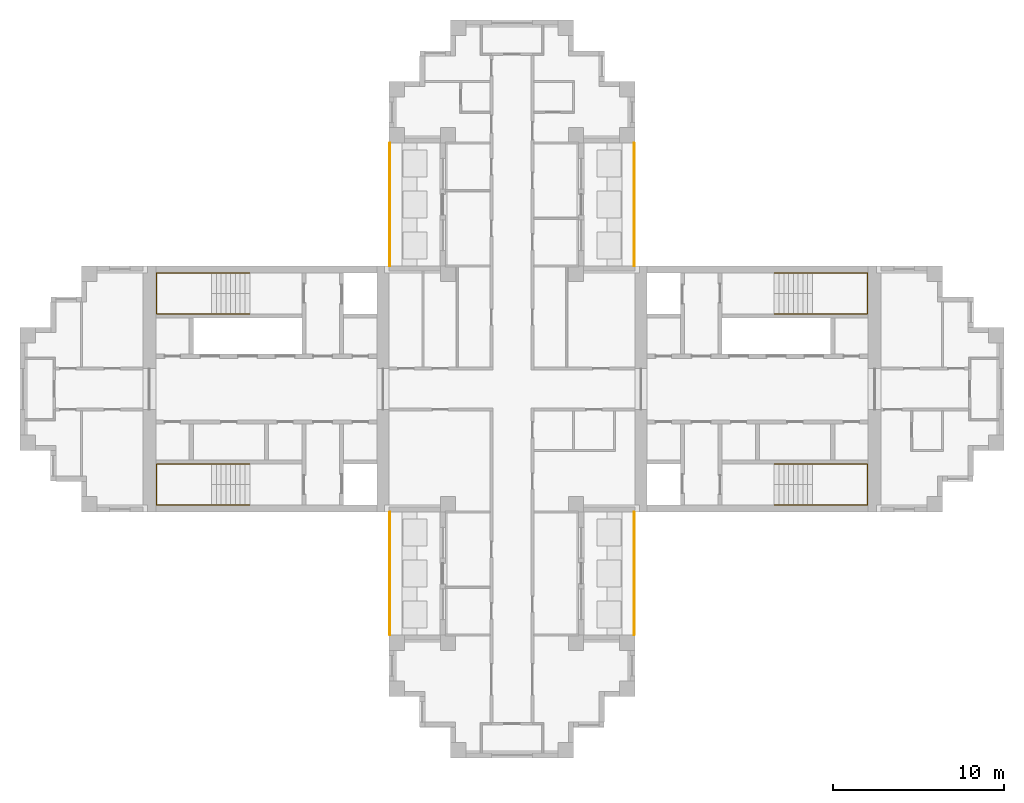
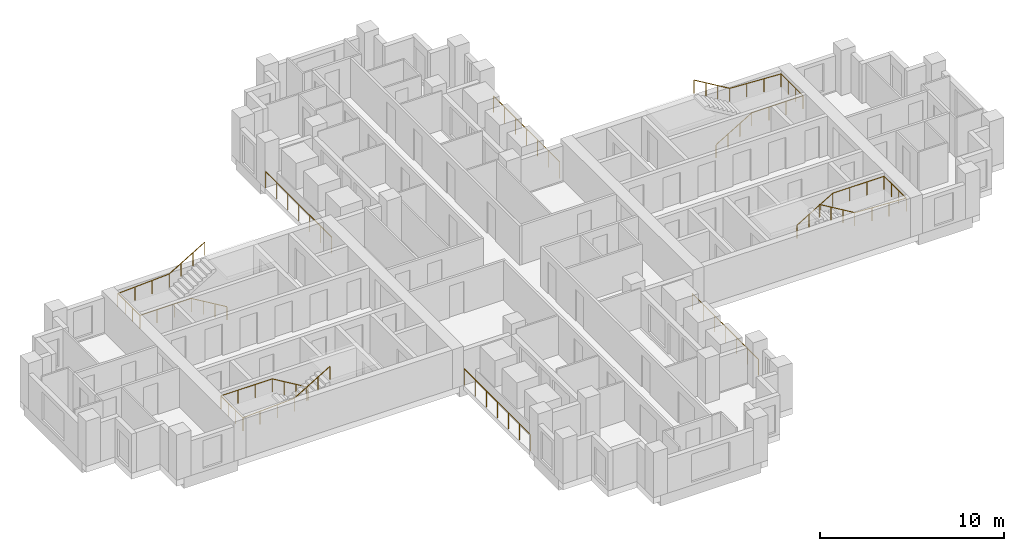
# One storey, part 9 of 10: 8 railings.
"""IFC4 building model written with IfcOpenShell, lengths in metres."""

from ifc_helpers import new_model, si_unit, direction, frame, origin, origin_2d, place, context, subcontext, project, spatial, circle, extrude, material, type_object, element, save


model = new_model("IFC4")

# Units and contexts
model_context = context("Model", 3, precision=1e-05, world=origin(), true_north=direction((0.0, 1.0)))
body_context = subcontext(model_context, "Body", "Model", "MODEL_VIEW")
ifc_project = project(units=[si_unit("LENGTHUNIT", "METRE"), si_unit("AREAUNIT", "SQUARE_METRE"), si_unit("VOLUMEUNIT", "CUBIC_METRE"), si_unit("PLANEANGLEUNIT", "RADIAN"), si_unit("MASSUNIT", "GRAM", prefix="KILO")], contexts=[model_context])

# Site, building, storey
site_placement = place(None, origin())
site = spatial("IfcSite", under=ifc_project, at=site_placement, CompositionType="ELEMENT")
building_placement = place(site_placement, origin())
building = spatial("IfcBuilding", under=site, at=building_placement, Name="Fustian Cross Tower", CompositionType="ELEMENT")
storey_placement = place(building_placement, frame((0.0, 0.0, 213.89990234375)))
storey = spatial("IfcBuildingStorey", under=building, at=storey_placement, Name="L67", CompositionType="ELEMENT", Elevation=213.89990234375)

# Railings
ifc_material_1 = material(Name="Stainless steel and glass", Category="steel")
railing_type_1 = type_object("IfcRailingType", Name="GR1 BALCONY GUARD 1100", PredefinedType="GUARDRAIL", material=ifc_material_1)
for number, where, name in (
    (1, (7.14990234375, 7.199951171875, 0.0), "Balcony guard"),
    (2, (-7.14990234375, 7.199951171875, 0.0), "Balcony guard"),
    (3, (7.14990234375, -14.39990234375, 0.0), "Balcony guard"),
    (4, (-7.14990234375, -14.39990234375, 0.0), "Balcony guard"),
):
    element("IfcRailing", number, at=place(storey_placement, frame(where)), inside=storey, type_object=railing_type_1, Name=name, PredefinedType="GUARDRAIL", context=body_context, shape_type="SweptSolid", body=[
        extrude(circle(Radius=0.02392578125, at=origin_2d()), frame((0.0, 0.0, 1.076171875), z_axis=(0.0, 1.0, 0.0), x_axis=(-1.0, 0.0, 0.0)), (0.0, 0.0, 1.0), 7.199951171875),
        extrude(circle(Radius=0.02099609375, at=origin_2d()), origin(), (0.0, 0.0, 1.0), 1.052001953125),
        extrude(circle(Radius=0.02099609375, at=origin_2d()), frame((0.0, 1.199951171875, 0.0)), (0.0, 0.0, 1.0), 1.052001953125),
        extrude(circle(Radius=0.02099609375, at=origin_2d()), frame((0.0, 2.39990234375, 0.0)), (0.0, 0.0, 1.0), 1.052001953125),
        extrude(circle(Radius=0.02099609375, at=origin_2d()), frame((0.0, 3.60009765625, 0.0)), (0.0, 0.0, 1.0), 1.052001953125),
        extrude(circle(Radius=0.02099609375, at=origin_2d()), frame((0.0, 4.800048828125, 0.0)), (0.0, 0.0, 1.0), 1.052001953125),
        extrude(circle(Radius=0.02099609375, at=origin_2d()), frame((0.0, 6.0, 0.0)), (0.0, 0.0, 1.0), 1.052001953125),
        extrude(circle(Radius=0.02099609375, at=origin_2d()), frame((0.0, 7.199951171875, 0.0)), (0.0, 0.0, 1.0), 1.052001953125),
    ])
ifc_material_2 = material(Name="Stainless steel", Category="steel")
railing_type_2 = type_object("IfcRailingType", Name="STAIR HANDRAIL", PredefinedType="HANDRAIL", material=ifc_material_2)
railing_1_placement = place(storey_placement, frame((15.35009765625, 4.39990234375, 0.166748046875)))
element("IfcRailing", 5, at=railing_1_placement, inside=storey, type_object=railing_type_2, Name="Stair ST1 handrail 1", PredefinedType="HANDRAIL", context=body_context, shape_type="SweptSolid", body=[
    extrude(circle(Radius=0.02490234375, at=origin_2d()), frame((0.0, 0.0, 0.875), z_axis=(0.859305625298, 0.0, 0.511462454469), x_axis=(0.0, 1.0, 0.0)), (0.0, 0.0, 1.0), 2.606689453125),
    extrude(circle(Radius=0.02490234375, at=origin_2d()), frame((2.239990234375, 0.0, 2.2080078125), z_axis=(1.0, 0.0, 0.0), x_axis=(0.0, 1.0, 0.0)), (0.0, 0.0, 1.0), 3.219970703125),
    extrude(circle(Radius=0.02490234375, at=origin_2d()), frame((5.4599609375, 0.0, 2.2080078125), z_axis=(0.0, 1.0, 0.0), x_axis=(-1.0, 0.0, 0.0)), (0.0, 0.0, 1.0), 2.400146484375),
    extrude(circle(Radius=0.02490234375, at=origin_2d()), frame((5.4599609375, 2.400146484375, 2.2080078125), z_axis=(-0.998661817807, 0.0, 0.051716280352), x_axis=(0.0, -1.0, 0.0)), (0.0, 0.0, 1.0), 3.224365234375),
    extrude(circle(Radius=0.02490234375, at=origin_2d()), frame((2.239990234375, 2.400146484375, 2.375), z_axis=(-0.859305625298, 0.0, 0.511462454469), x_axis=(0.0, -1.0, 0.0)), (0.0, 0.0, 1.0), 2.606689453125),
    extrude(circle(Radius=0.02001953125, at=origin_2d()), origin(), (0.0, 0.0, 1.0), 0.849853515625),
    extrude(circle(Radius=0.02001953125, at=origin_2d()), frame((0.74658203125, 0.0, 0.4443359375)), (0.0, 0.0, 1.0), 0.849853515625),
    extrude(circle(Radius=0.02001953125, at=origin_2d()), frame((1.493408203125, 0.0, 0.888916015625)), (0.0, 0.0, 1.0), 0.849853515625),
    extrude(circle(Radius=0.02001953125, at=origin_2d()), frame((2.239990234375, 0.0, 1.333251953125)), (0.0, 0.0, 1.0), 0.849853515625),
    extrude(circle(Radius=0.02001953125, at=origin_2d()), frame((3.313232421875, 0.0, 1.333251953125)), (0.0, 0.0, 1.0), 0.849853515625),
    extrude(circle(Radius=0.02001953125, at=origin_2d()), frame((4.38671875, 0.0, 1.333251953125)), (0.0, 0.0, 1.0), 0.849853515625),
    extrude(circle(Radius=0.02001953125, at=origin_2d()), frame((5.4599609375, 0.0, 1.333251953125)), (0.0, 0.0, 1.0), 0.849853515625),
    extrude(circle(Radius=0.02001953125, at=origin_2d()), frame((5.4599609375, 0.800048828125, 1.333251953125)), (0.0, 0.0, 1.0), 0.849853515625),
    extrude(circle(Radius=0.02001953125, at=origin_2d()), frame((5.4599609375, 1.60009765625, 1.333251953125)), (0.0, 0.0, 1.0), 0.849853515625),
    extrude(circle(Radius=0.02001953125, at=origin_2d()), frame((5.4599609375, 2.400146484375, 1.333251953125)), (0.0, 0.0, 1.0), 0.849853515625),
    extrude(circle(Radius=0.02001953125, at=origin_2d()), frame((4.38671875, 2.400146484375, 1.388916015625)), (0.0, 0.0, 1.0), 0.849853515625),
    extrude(circle(Radius=0.02001953125, at=origin_2d()), frame((3.313232421875, 2.400146484375, 1.4443359375)), (0.0, 0.0, 1.0), 0.849853515625),
    extrude(circle(Radius=0.02001953125, at=origin_2d()), frame((2.239990234375, 2.400146484375, 1.5)), (0.0, 0.0, 1.0), 0.849853515625),
    extrude(circle(Radius=0.02001953125, at=origin_2d()), frame((1.493408203125, 2.400146484375, 1.9443359375)), (0.0, 0.0, 1.0), 0.849853515625),
    extrude(circle(Radius=0.02001953125, at=origin_2d()), frame((0.74658203125, 2.400146484375, 2.388916015625)), (0.0, 0.0, 1.0), 0.849853515625),
    extrude(circle(Radius=0.02001953125, at=origin_2d()), frame((0.0, 2.400146484375, 2.833251953125)), (0.0, 0.0, 1.0), 0.849853515625),
])
railing_2_placement = place(storey_placement, frame((15.35009765625, -4.39990234375, 0.166748046875)))
element("IfcRailing", 6, at=railing_2_placement, inside=storey, type_object=railing_type_2, Name="Stair ST2 handrail 1", PredefinedType="HANDRAIL", context=body_context, shape_type="SweptSolid", body=[
    extrude(circle(Radius=0.02490234375, at=origin_2d()), frame((0.0, 0.0, 0.875), z_axis=(0.859305625298, 0.0, 0.511462454469), x_axis=(0.0, 1.0, 0.0)), (0.0, 0.0, 1.0), 2.606689453125),
    extrude(circle(Radius=0.02490234375, at=origin_2d()), frame((2.239990234375, 0.0, 2.2080078125), z_axis=(1.0, 0.0, 0.0), x_axis=(0.0, 1.0, 0.0)), (0.0, 0.0, 1.0), 3.219970703125),
    extrude(circle(Radius=0.02490234375, at=origin_2d()), frame((5.4599609375, 0.0, 2.2080078125), z_axis=(0.0, -1.0, 0.0), x_axis=(1.0, 0.0, 0.0)), (0.0, 0.0, 1.0), 2.400146484375),
    extrude(circle(Radius=0.02490234375, at=origin_2d()), frame((5.4599609375, -2.400146484375, 2.2080078125), z_axis=(-0.998661817807, 0.0, 0.051716280352), x_axis=(0.0, -1.0, 0.0)), (0.0, 0.0, 1.0), 3.224365234375),
    extrude(circle(Radius=0.02490234375, at=origin_2d()), frame((2.239990234375, -2.400146484375, 2.375), z_axis=(-0.859305625298, 0.0, 0.511462454469), x_axis=(0.0, -1.0, 0.0)), (0.0, 0.0, 1.0), 2.606689453125),
    extrude(circle(Radius=0.02001953125, at=origin_2d()), origin(), (0.0, 0.0, 1.0), 0.849853515625),
    extrude(circle(Radius=0.02001953125, at=origin_2d()), frame((0.74658203125, 0.0, 0.4443359375)), (0.0, 0.0, 1.0), 0.849853515625),
    extrude(circle(Radius=0.02001953125, at=origin_2d()), frame((1.493408203125, 0.0, 0.888916015625)), (0.0, 0.0, 1.0), 0.849853515625),
    extrude(circle(Radius=0.02001953125, at=origin_2d()), frame((2.239990234375, 0.0, 1.333251953125)), (0.0, 0.0, 1.0), 0.849853515625),
    extrude(circle(Radius=0.02001953125, at=origin_2d()), frame((3.313232421875, 0.0, 1.333251953125)), (0.0, 0.0, 1.0), 0.849853515625),
    extrude(circle(Radius=0.02001953125, at=origin_2d()), frame((4.38671875, 0.0, 1.333251953125)), (0.0, 0.0, 1.0), 0.849853515625),
    extrude(circle(Radius=0.02001953125, at=origin_2d()), frame((5.4599609375, 0.0, 1.333251953125)), (0.0, 0.0, 1.0), 0.849853515625),
    extrude(circle(Radius=0.02001953125, at=origin_2d()), frame((5.4599609375, -0.800048828125, 1.333251953125)), (0.0, 0.0, 1.0), 0.849853515625),
    extrude(circle(Radius=0.02001953125, at=origin_2d()), frame((5.4599609375, -1.60009765625, 1.333251953125)), (0.0, 0.0, 1.0), 0.849853515625),
    extrude(circle(Radius=0.02001953125, at=origin_2d()), frame((5.4599609375, -2.400146484375, 1.333251953125)), (0.0, 0.0, 1.0), 0.849853515625),
    extrude(circle(Radius=0.02001953125, at=origin_2d()), frame((4.38671875, -2.400146484375, 1.388916015625)), (0.0, 0.0, 1.0), 0.849853515625),
    extrude(circle(Radius=0.02001953125, at=origin_2d()), frame((3.313232421875, -2.400146484375, 1.4443359375)), (0.0, 0.0, 1.0), 0.849853515625),
    extrude(circle(Radius=0.02001953125, at=origin_2d()), frame((2.239990234375, -2.400146484375, 1.5)), (0.0, 0.0, 1.0), 0.849853515625),
    extrude(circle(Radius=0.02001953125, at=origin_2d()), frame((1.493408203125, -2.400146484375, 1.9443359375)), (0.0, 0.0, 1.0), 0.849853515625),
    extrude(circle(Radius=0.02001953125, at=origin_2d()), frame((0.74658203125, -2.400146484375, 2.388916015625)), (0.0, 0.0, 1.0), 0.849853515625),
    extrude(circle(Radius=0.02001953125, at=origin_2d()), frame((0.0, -2.400146484375, 2.833251953125)), (0.0, 0.0, 1.0), 0.849853515625),
])
railing_3_placement = place(storey_placement, frame((-15.35009765625, 4.39990234375, 0.166748046875)))
element("IfcRailing", 7, at=railing_3_placement, inside=storey, type_object=railing_type_2, Name="Stair ST3 handrail 1", PredefinedType="HANDRAIL", context=body_context, shape_type="SweptSolid", body=[
    extrude(circle(Radius=0.02490234375, at=origin_2d()), frame((0.0, 0.0, 0.875), z_axis=(-0.859305625298, 0.0, 0.511462454469), x_axis=(0.0, -1.0, 0.0)), (0.0, 0.0, 1.0), 2.606689453125),
    extrude(circle(Radius=0.02490234375, at=origin_2d()), frame((-2.239990234375, 0.0, 2.2080078125), z_axis=(-1.0, 0.0, 0.0), x_axis=(0.0, -1.0, 0.0)), (0.0, 0.0, 1.0), 3.219970703125),
    extrude(circle(Radius=0.02490234375, at=origin_2d()), frame((-5.4599609375, 0.0, 2.2080078125), z_axis=(0.0, 1.0, 0.0), x_axis=(-1.0, 0.0, 0.0)), (0.0, 0.0, 1.0), 2.400146484375),
    extrude(circle(Radius=0.02490234375, at=origin_2d()), frame((-5.4599609375, 2.400146484375, 2.2080078125), z_axis=(0.998661817807, 0.0, 0.051716280352), x_axis=(0.0, 1.0, 0.0)), (0.0, 0.0, 1.0), 3.224365234375),
    extrude(circle(Radius=0.02490234375, at=origin_2d()), frame((-2.239990234375, 2.400146484375, 2.375), z_axis=(0.859305625298, 0.0, 0.511462454469), x_axis=(0.0, 1.0, 0.0)), (0.0, 0.0, 1.0), 2.606689453125),
    extrude(circle(Radius=0.02001953125, at=origin_2d()), origin(), (0.0, 0.0, 1.0), 0.849853515625),
    extrude(circle(Radius=0.02001953125, at=origin_2d()), frame((-0.74658203125, 0.0, 0.4443359375)), (0.0, 0.0, 1.0), 0.849853515625),
    extrude(circle(Radius=0.02001953125, at=origin_2d()), frame((-1.493408203125, 0.0, 0.888916015625)), (0.0, 0.0, 1.0), 0.849853515625),
    extrude(circle(Radius=0.02001953125, at=origin_2d()), frame((-2.239990234375, 0.0, 1.333251953125)), (0.0, 0.0, 1.0), 0.849853515625),
    extrude(circle(Radius=0.02001953125, at=origin_2d()), frame((-3.313232421875, 0.0, 1.333251953125)), (0.0, 0.0, 1.0), 0.849853515625),
    extrude(circle(Radius=0.02001953125, at=origin_2d()), frame((-4.38671875, 0.0, 1.333251953125)), (0.0, 0.0, 1.0), 0.849853515625),
    extrude(circle(Radius=0.02001953125, at=origin_2d()), frame((-5.4599609375, 0.0, 1.333251953125)), (0.0, 0.0, 1.0), 0.849853515625),
    extrude(circle(Radius=0.02001953125, at=origin_2d()), frame((-5.4599609375, 0.800048828125, 1.333251953125)), (0.0, 0.0, 1.0), 0.849853515625),
    extrude(circle(Radius=0.02001953125, at=origin_2d()), frame((-5.4599609375, 1.60009765625, 1.333251953125)), (0.0, 0.0, 1.0), 0.849853515625),
    extrude(circle(Radius=0.02001953125, at=origin_2d()), frame((-5.4599609375, 2.400146484375, 1.333251953125)), (0.0, 0.0, 1.0), 0.849853515625),
    extrude(circle(Radius=0.02001953125, at=origin_2d()), frame((-4.38671875, 2.400146484375, 1.388916015625)), (0.0, 0.0, 1.0), 0.849853515625),
    extrude(circle(Radius=0.02001953125, at=origin_2d()), frame((-3.313232421875, 2.400146484375, 1.4443359375)), (0.0, 0.0, 1.0), 0.849853515625),
    extrude(circle(Radius=0.02001953125, at=origin_2d()), frame((-2.239990234375, 2.400146484375, 1.5)), (0.0, 0.0, 1.0), 0.849853515625),
    extrude(circle(Radius=0.02001953125, at=origin_2d()), frame((-1.493408203125, 2.400146484375, 1.9443359375)), (0.0, 0.0, 1.0), 0.849853515625),
    extrude(circle(Radius=0.02001953125, at=origin_2d()), frame((-0.74658203125, 2.400146484375, 2.388916015625)), (0.0, 0.0, 1.0), 0.849853515625),
    extrude(circle(Radius=0.02001953125, at=origin_2d()), frame((0.0, 2.400146484375, 2.833251953125)), (0.0, 0.0, 1.0), 0.849853515625),
])
railing_4_placement = place(storey_placement, frame((-15.35009765625, -4.39990234375, 0.166748046875)))
element("IfcRailing", 8, at=railing_4_placement, inside=storey, type_object=railing_type_2, Name="Stair ST4 handrail 1", PredefinedType="HANDRAIL", context=body_context, shape_type="SweptSolid", body=[
    extrude(circle(Radius=0.02490234375, at=origin_2d()), frame((0.0, 0.0, 0.875), z_axis=(-0.859305625298, 0.0, 0.511462454469), x_axis=(0.0, -1.0, 0.0)), (0.0, 0.0, 1.0), 2.606689453125),
    extrude(circle(Radius=0.02490234375, at=origin_2d()), frame((-2.239990234375, 0.0, 2.2080078125), z_axis=(-1.0, 0.0, 0.0), x_axis=(0.0, -1.0, 0.0)), (0.0, 0.0, 1.0), 3.219970703125),
    extrude(circle(Radius=0.02490234375, at=origin_2d()), frame((-5.4599609375, 0.0, 2.2080078125), z_axis=(0.0, -1.0, 0.0), x_axis=(1.0, 0.0, 0.0)), (0.0, 0.0, 1.0), 2.400146484375),
    extrude(circle(Radius=0.02490234375, at=origin_2d()), frame((-5.4599609375, -2.400146484375, 2.2080078125), z_axis=(0.998661817807, 0.0, 0.051716280352), x_axis=(0.0, 1.0, 0.0)), (0.0, 0.0, 1.0), 3.224365234375),
    extrude(circle(Radius=0.02490234375, at=origin_2d()), frame((-2.239990234375, -2.400146484375, 2.375), z_axis=(0.859305625298, 0.0, 0.511462454469), x_axis=(0.0, 1.0, 0.0)), (0.0, 0.0, 1.0), 2.606689453125),
    extrude(circle(Radius=0.02001953125, at=origin_2d()), origin(), (0.0, 0.0, 1.0), 0.849853515625),
    extrude(circle(Radius=0.02001953125, at=origin_2d()), frame((-0.74658203125, 0.0, 0.4443359375)), (0.0, 0.0, 1.0), 0.849853515625),
    extrude(circle(Radius=0.02001953125, at=origin_2d()), frame((-1.493408203125, 0.0, 0.888916015625)), (0.0, 0.0, 1.0), 0.849853515625),
    extrude(circle(Radius=0.02001953125, at=origin_2d()), frame((-2.239990234375, 0.0, 1.333251953125)), (0.0, 0.0, 1.0), 0.849853515625),
    extrude(circle(Radius=0.02001953125, at=origin_2d()), frame((-3.313232421875, 0.0, 1.333251953125)), (0.0, 0.0, 1.0), 0.849853515625),
    extrude(circle(Radius=0.02001953125, at=origin_2d()), frame((-4.38671875, 0.0, 1.333251953125)), (0.0, 0.0, 1.0), 0.849853515625),
    extrude(circle(Radius=0.02001953125, at=origin_2d()), frame((-5.4599609375, 0.0, 1.333251953125)), (0.0, 0.0, 1.0), 0.849853515625),
    extrude(circle(Radius=0.02001953125, at=origin_2d()), frame((-5.4599609375, -0.800048828125, 1.333251953125)), (0.0, 0.0, 1.0), 0.849853515625),
    extrude(circle(Radius=0.02001953125, at=origin_2d()), frame((-5.4599609375, -1.60009765625, 1.333251953125)), (0.0, 0.0, 1.0), 0.849853515625),
    extrude(circle(Radius=0.02001953125, at=origin_2d()), frame((-5.4599609375, -2.400146484375, 1.333251953125)), (0.0, 0.0, 1.0), 0.849853515625),
    extrude(circle(Radius=0.02001953125, at=origin_2d()), frame((-4.38671875, -2.400146484375, 1.388916015625)), (0.0, 0.0, 1.0), 0.849853515625),
    extrude(circle(Radius=0.02001953125, at=origin_2d()), frame((-3.313232421875, -2.400146484375, 1.4443359375)), (0.0, 0.0, 1.0), 0.849853515625),
    extrude(circle(Radius=0.02001953125, at=origin_2d()), frame((-2.239990234375, -2.400146484375, 1.5)), (0.0, 0.0, 1.0), 0.849853515625),
    extrude(circle(Radius=0.02001953125, at=origin_2d()), frame((-1.493408203125, -2.400146484375, 1.9443359375)), (0.0, 0.0, 1.0), 0.849853515625),
    extrude(circle(Radius=0.02001953125, at=origin_2d()), frame((-0.74658203125, -2.400146484375, 2.388916015625)), (0.0, 0.0, 1.0), 0.849853515625),
    extrude(circle(Radius=0.02001953125, at=origin_2d()), frame((0.0, -2.400146484375, 2.833251953125)), (0.0, 0.0, 1.0), 0.849853515625),
])

save(model, "model.ifc")
